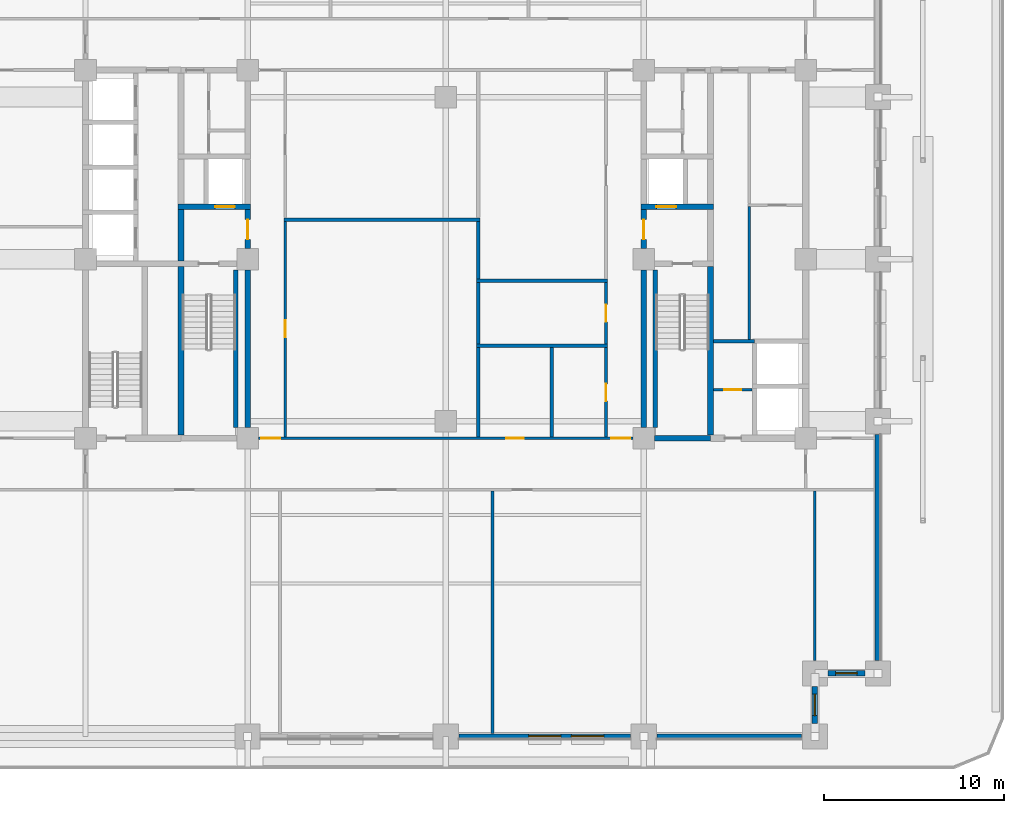
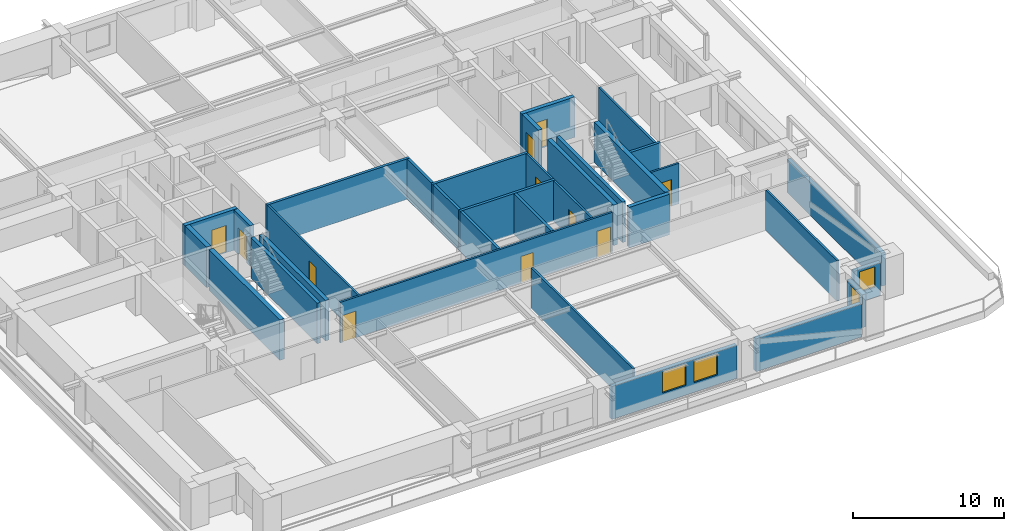
# One storey, part 6 of 18: 33 walls, 11 doors, 4 windows, 15 openings.
"""IFC4 building model written with IfcOpenShell, lengths in metres."""

from ifc_helpers import new_model, si_unit, direction, frame, frame_2d, origin, place, context, subcontext, project, spatial, rectangle, extrude, material, layer, layer_set, type_object, element, fill, save


model = new_model("IFC4")

# Units and contexts
model_context = context("Model", 3, precision=1e-05, world=origin(), true_north=direction((0.0, 1.0)))
body_context = subcontext(model_context, "Body", "Model", "MODEL_VIEW")
ifc_project = project(units=[si_unit("LENGTHUNIT", "METRE"), si_unit("AREAUNIT", "SQUARE_METRE"), si_unit("VOLUMEUNIT", "CUBIC_METRE"), si_unit("PLANEANGLEUNIT", "RADIAN"), si_unit("MASSUNIT", "GRAM", prefix="KILO")], contexts=[model_context])

# Site, building, storey
site_placement = place(None, origin())
site = spatial("IfcSite", under=ifc_project, at=site_placement, CompositionType="ELEMENT")
building_placement = place(site_placement, origin())
building = spatial("IfcBuilding", under=site, at=building_placement, Name="Zulmaris Gate Convention Tower", CompositionType="ELEMENT")
storey_placement = place(building_placement, frame((0.0, 0.0, 57.18994140625)))
storey = spatial("IfcBuildingStorey", under=building, at=storey_placement, Name="L13", CompositionType="ELEMENT", Elevation=57.18994140625)

# Walls
ifc_material_1 = material(Name="Concrete C50/60", Category="concrete")
ifc_layer_1 = layer(ifc_material_1, 0.25, Name="Concrete C50/60")
ifc_layer_set_1 = layer_set([ifc_layer_1], Name="Concrete C50/60")
wall_type_1 = type_object("IfcWallType", Name="CORE-250", PredefinedType="SOLIDWALL", material=ifc_layer_set_1)
for number, where, z_axis, x_axis, name in (
    (1, (-11.64990234375, -9.345947265625, 0.0), (0.0, 0.0, 1.0), (0.0, 1.0, 0.0), "WL-L13-052"),
    (2, (11.64990234375, -9.345947265625, 0.0), (0.0, 0.0, 1.0), (0.0, 1.0, 0.0), "WL-L13-061"),
):
    element("IfcWall", number, at=place(storey_placement, frame(where, z_axis=z_axis, x_axis=x_axis)), inside=storey, type_object=wall_type_1, Name=name, PredefinedType="SOLIDWALL", context=body_context, shape_type="SweptSolid", body=[
        extrude(rectangle(XDim=8.741943359375, YDim=0.25, at=frame_2d((4.37109375, 0.0))), origin(), (0.0, 0.0, 1.0), 3.27001953125),
    ])
ifc_layer_2 = layer(ifc_material_1, 0.300048828125, Name="Concrete C50/60")
ifc_layer_set_2 = layer_set([ifc_layer_2], Name="Concrete C50/60")
wall_type_2 = type_object("IfcWallType", Name="CORE-300", PredefinedType="SHEAR", material=ifc_layer_set_2)
wall_1_placement = place(storey_placement, frame((11.60400390625, -9.949951171875, 0.0), z_axis=(0.0, 0.0, 1.0), x_axis=(1.0, 0.0, 0.0)))
element("IfcWall", 3, at=wall_1_placement, inside=storey, type_object=wall_type_2, Name="WL-L13-003", PredefinedType="SHEAR", context=body_context, shape_type="SweptSolid", body=[
    extrude(rectangle(XDim=3.095947265625, YDim=0.300048828125, at=frame_2d((1.5478515625, 0.0))), origin(), (0.0, 0.0, 1.0), 3.27001953125),
])

# Wall, opening, door
wall_2_placement = place(storey_placement, frame((-14.875, 2.89990234375, 0.0), z_axis=(0.0, 0.0, 1.0), x_axis=(1.0, 0.0, 0.0)))
wall_2 = element("IfcWall", 4, at=wall_2_placement, inside=storey, type_object=wall_type_2, Name="WL-L13-010", PredefinedType="SHEAR", context=body_context, shape_type="SweptSolid", body=[
    extrude(rectangle(XDim=4.02490234375, YDim=0.300048828125, at=frame_2d((2.012451171875, 0.0))), origin(), (0.0, 0.0, 1.0), 3.27001953125),
])
opening_1_placement = place(wall_2_placement, frame((2.074951171875, 0.0, 0.0)))
opening_1 = element("IfcOpeningElement", 5, at=opening_1_placement, cuts=wall_2, Name="Opening D-06", PredefinedType="OPENING", context=body_context, shape_type="SweptSolid", body=[
    extrude(rectangle(XDim=1.10009765625, YDim=2.199951171875, at=frame_2d((0.550048828125, 1.10009765625))), frame((0.0, 0.16015625, 0.0), z_axis=(0.0, -1.0, 0.0), x_axis=(1.0, 0.0, 0.0)), (0.0, 0.0, 1.0), 0.320068359375),
])
ifc_material_2 = material(Name="Brushed Stainless Steel", Category="steel")
door_type_1 = type_object("IfcDoorType", Name="LD-1100", OperationType="NOTDEFINED", PredefinedType="DOOR", material=ifc_material_2)
door_1_placement = place(opening_1_placement, origin())
door_1 = element("IfcDoor", 6, at=door_1_placement, inside=storey, type_object=door_type_1, Name="L13 Lift Landing Door LF-01 03", OperationType="SLIDING_TO_LEFT", OverallHeight=2.199951171875, OverallWidth=1.10009765625, PredefinedType="DOOR", context=body_context, shape_type="SweptSolid", body=[
    extrude(rectangle(XDim=1.10009765625, YDim=2.199951171875, at=frame_2d((0.550048828125, 1.10009765625))), frame((0.0, 0.02490234375, 0.0), z_axis=(0.0, -1.0, 0.0), x_axis=(1.0, 0.0, 0.0)), (0.0, 0.0, 1.0), 0.050048828125),
])
fill(opening_1, door_1)

wall_3_placement = place(storey_placement, frame((10.85009765625, 2.89990234375, 0.0), z_axis=(0.0, 0.0, 1.0), x_axis=(1.0, 0.0, 0.0)))
wall_3 = element("IfcWall", 7, at=wall_3_placement, inside=storey, type_object=wall_type_2, Name="WL-L13-011", PredefinedType="SHEAR", context=body_context, shape_type="SweptSolid", body=[
    extrude(rectangle(XDim=4.02490234375, YDim=0.300048828125, at=frame_2d((2.012451171875, 0.0))), origin(), (0.0, 0.0, 1.0), 3.27001953125),
])
opening_2_placement = place(wall_3_placement, frame((0.85009765625, 0.0, 0.0)))
opening_2 = element("IfcOpeningElement", 8, at=opening_2_placement, cuts=wall_3, Name="Opening D-06", PredefinedType="OPENING", context=body_context, shape_type="SweptSolid", body=[
    extrude(rectangle(XDim=1.10009765625, YDim=2.199951171875, at=frame_2d((0.550048828125, 1.10009765625))), frame((0.0, 0.16015625, 0.0), z_axis=(0.0, -1.0, 0.0), x_axis=(1.0, 0.0, 0.0)), (0.0, 0.0, 1.0), 0.320068359375),
])
door_2_placement = place(opening_2_placement, origin())
door_2 = element("IfcDoor", 9, at=door_2_placement, inside=storey, type_object=door_type_1, Name="L13 Lift Landing Door LF-02 06", OperationType="SLIDING_TO_RIGHT", OverallHeight=2.199951171875, OverallWidth=1.10009765625, PredefinedType="DOOR", context=body_context, shape_type="SweptSolid", body=[
    extrude(rectangle(XDim=1.10009765625, YDim=2.199951171875, at=frame_2d((0.550048828125, 1.10009765625))), frame((0.0, 0.02490234375, 0.0), z_axis=(0.0, -1.0, 0.0), x_axis=(1.0, 0.0, 0.0)), (0.0, 0.0, 1.0), 0.050048828125),
])
fill(opening_2, door_2)

# Wall
wall_4_placement = place(storey_placement, frame((-11.0, -9.345947265625, 0.0), z_axis=(0.0, 0.0, 1.0), x_axis=(0.0, 1.0, 0.0)))
element("IfcWall", 10, at=wall_4_placement, inside=storey, type_object=wall_type_2, Name="WL-L13-053", PredefinedType="SHEAR", context=body_context, shape_type="SweptSolid", body=[
    extrude(rectangle(XDim=8.741943359375, YDim=0.300048828125, at=frame_2d((4.37109375, 0.0))), origin(), (0.0, 0.0, 1.0), 3.27001953125),
])

# Wall, opening, door
wall_5_placement = place(storey_placement, frame((-11.0, 0.60400390625, 0.0), z_axis=(0.0, 0.0, 1.0), x_axis=(0.0, 1.0, 0.0)))
wall_5 = element("IfcWall", 11, at=wall_5_placement, inside=storey, type_object=wall_type_2, Name="WL-L13-054", PredefinedType="SHEAR", context=body_context, shape_type="SweptSolid", body=[
    extrude(rectangle(XDim=2.14404296875, YDim=0.300048828125, at=frame_2d((1.072021484375, 0.0))), origin(), (0.0, 0.0, 1.0), 3.27001953125),
])
opening_3_placement = place(wall_5_placement, frame((0.49609375, 0.0, 0.0)))
opening_3 = element("IfcOpeningElement", 12, at=opening_3_placement, cuts=wall_5, Name="Opening D-08", PredefinedType="OPENING", context=body_context, shape_type="SweptSolid", body=[
    extrude(rectangle(XDim=1.10009765625, YDim=2.14990234375, at=frame_2d((0.550048828125, 1.074951171875))), frame((0.0, 0.16015625, 0.0), z_axis=(0.0, -1.0, 0.0), x_axis=(1.0, 0.0, 0.0)), (0.0, 0.0, 1.0), 0.320068359375),
])
ifc_material_3 = material(Name="Fire-Rated Steel", Category="steel")
door_type_2 = type_object("IfcDoorType", Name="DR-1100-FD", OperationType="NOTDEFINED", PredefinedType="DOOR", material=ifc_material_3)
door_3_placement = place(opening_3_placement, origin())
door_3 = element("IfcDoor", 13, at=door_3_placement, inside=storey, type_object=door_type_2, Name="L13 West Firefighting Lobby Door 02", OperationType="SINGLE_SWING_RIGHT", OverallHeight=2.14990234375, OverallWidth=1.10009765625, PredefinedType="DOOR", context=body_context, shape_type="SweptSolid", body=[
    extrude(rectangle(XDim=1.10009765625, YDim=2.14990234375, at=frame_2d((0.550048828125, 1.074951171875))), frame((0.0, 0.02490234375, 0.0), z_axis=(0.0, -1.0, 0.0), x_axis=(1.0, 0.0, 0.0)), (0.0, 0.0, 1.0), 0.050048828125),
])
fill(opening_3, door_3)

# Wall
wall_6_placement = place(storey_placement, frame((11.0, -9.345947265625, 0.0), z_axis=(0.0, 0.0, 1.0), x_axis=(0.0, 1.0, 0.0)))
element("IfcWall", 14, at=wall_6_placement, inside=storey, type_object=wall_type_2, Name="WL-L13-057", PredefinedType="SHEAR", context=body_context, shape_type="SweptSolid", body=[
    extrude(rectangle(XDim=8.741943359375, YDim=0.300048828125, at=frame_2d((4.37109375, 0.0))), origin(), (0.0, 0.0, 1.0), 3.27001953125),
])

# Wall, opening, door
wall_7_placement = place(storey_placement, frame((11.0, 0.60400390625, 0.0), z_axis=(0.0, 0.0, 1.0), x_axis=(0.0, 1.0, 0.0)))
wall_7 = element("IfcWall", 15, at=wall_7_placement, inside=storey, type_object=wall_type_2, Name="WL-L13-058", PredefinedType="SHEAR", context=body_context, shape_type="SweptSolid", body=[
    extrude(rectangle(XDim=2.14404296875, YDim=0.300048828125, at=frame_2d((1.072021484375, 0.0))), origin(), (0.0, 0.0, 1.0), 3.27001953125),
])
opening_4_placement = place(wall_7_placement, frame((0.49609375, 0.0, 0.0)))
opening_4 = element("IfcOpeningElement", 16, at=opening_4_placement, cuts=wall_7, Name="Opening D-08", PredefinedType="OPENING", context=body_context, shape_type="SweptSolid", body=[
    extrude(rectangle(XDim=1.10009765625, YDim=2.14990234375, at=frame_2d((0.550048828125, 1.074951171875))), frame((0.0, 0.16015625, 0.0), z_axis=(0.0, -1.0, 0.0), x_axis=(1.0, 0.0, 0.0)), (0.0, 0.0, 1.0), 0.320068359375),
])
door_4_placement = place(opening_4_placement, origin())
door_4 = element("IfcDoor", 17, at=door_4_placement, inside=storey, type_object=door_type_2, Name="L13 East Firefighting Lobby Door 05", OperationType="SINGLE_SWING_RIGHT", OverallHeight=2.14990234375, OverallWidth=1.10009765625, PredefinedType="DOOR", context=body_context, shape_type="SweptSolid", body=[
    extrude(rectangle(XDim=1.10009765625, YDim=2.14990234375, at=frame_2d((0.550048828125, 1.074951171875))), frame((0.0, 0.02490234375, 0.0), z_axis=(0.0, -1.0, 0.0), x_axis=(1.0, 0.0, 0.0)), (0.0, 0.0, 1.0), 0.050048828125),
])
fill(opening_4, door_4)

# Walls
ifc_material_4 = material(Name="Concrete C55/67", Category="concrete")
ifc_layer_3 = layer(ifc_material_4, 0.35009765625, Name="Concrete C55/67")
ifc_layer_set_3 = layer_set([ifc_layer_3], Name="Concrete C55/67")
wall_type_3 = type_object("IfcWallType", Name="CORE-350", PredefinedType="SHEAR", material=ifc_layer_set_3)
wall_8_placement = place(storey_placement, frame((-14.699951171875, -9.77294921875, 0.0), z_axis=(0.0, 0.0, 1.0), x_axis=(0.0, 1.0, 0.0)))
element("IfcWall", 18, at=wall_8_placement, inside=storey, type_object=wall_type_3, Name="WL-L13-047", PredefinedType="SHEAR", context=body_context, shape_type="SweptSolid", body=[
    extrude(rectangle(XDim=9.370849609375, YDim=0.35009765625, at=frame_2d((4.685546875, 0.0))), origin(), (0.0, 0.0, 1.0), 3.27001953125),
])
wall_9_placement = place(storey_placement, frame((-14.699951171875, -0.097900390625, 0.0), z_axis=(0.0, 0.0, 1.0), x_axis=(0.0, 1.0, 0.0)))
element("IfcWall", 19, at=wall_9_placement, inside=storey, type_object=wall_type_3, Name="WL-L13-048", PredefinedType="SHEAR", context=body_context, shape_type="SweptSolid", body=[
    extrude(rectangle(XDim=2.845947265625, YDim=0.35009765625, at=frame_2d((1.4228515625, 0.0))), origin(), (0.0, 0.0, 1.0), 3.27001953125),
])
wall_10_placement = place(storey_placement, frame((14.699951171875, -9.77294921875, 0.0), z_axis=(0.0, 0.0, 1.0), x_axis=(0.0, 1.0, 0.0)))
element("IfcWall", 20, at=wall_10_placement, inside=storey, type_object=wall_type_3, Name="WL-L13-063", PredefinedType="SHEAR", context=body_context, shape_type="SweptSolid", body=[
    extrude(rectangle(XDim=9.370849609375, YDim=0.35009765625, at=frame_2d((4.685546875, 0.0))), origin(), (0.0, 0.0, 1.0), 3.27001953125),
])

# Wall, openings, doors
ifc_material_5 = material(Name="Gypsum Metal Stud Partition")
ifc_layer_4 = layer(ifc_material_5, 0.14990234375, Name="Gypsum Metal Stud Partition")
ifc_layer_set_4 = layer_set([ifc_layer_4], Name="Gypsum Metal Stud Partition")
wall_type_4 = type_object("IfcWallType", Name="PART-150", PredefinedType="PARTITIONING", material=ifc_layer_set_4)
wall_11_placement = place(storey_placement, frame((-10.39404296875, -9.949951171875, 0.0), z_axis=(0.0, 0.0, 1.0), x_axis=(1.0, 0.0, 0.0)))
wall_11 = element("IfcWall", 21, at=wall_11_placement, inside=storey, type_object=wall_type_4, Name="WL-L13-022", PredefinedType="PARTITIONING", context=body_context, shape_type="SweptSolid", body=[
    extrude(rectangle(XDim=20.7880859375, YDim=0.14990234375, at=frame_2d((10.39404296875, 0.0))), origin(), (0.0, 0.0, 1.0), 3.27001953125),
])
opening_5_placement = place(wall_11_placement, frame((0.14990234375, 0.0, 0.0)))
opening_5 = element("IfcOpeningElement", 22, at=opening_5_placement, cuts=wall_11, Name="Opening D-09", PredefinedType="OPENING", context=body_context, shape_type="SweptSolid", body=[
    extrude(rectangle(XDim=1.050048828125, YDim=2.14990234375, at=frame_2d((0.52490234375, 1.074951171875))), frame((0.0, 0.0849609375, 0.0), z_axis=(0.0, -1.0, 0.0), x_axis=(1.0, 0.0, 0.0)), (0.0, 0.0, 1.0), 0.169921875),
])
opening_6_placement = place(wall_11_placement, frame((19.587890625, 0.0, 0.0)))
opening_6 = element("IfcOpeningElement", 23, at=opening_6_placement, cuts=wall_11, Name="Opening D-09", PredefinedType="OPENING", context=body_context, shape_type="SweptSolid", body=[
    extrude(rectangle(XDim=1.050048828125, YDim=2.14990234375, at=frame_2d((0.52490234375, 1.074951171875))), frame((0.0, 0.0849609375, 0.0), z_axis=(0.0, -1.0, 0.0), x_axis=(1.0, 0.0, 0.0)), (0.0, 0.0, 1.0), 0.169921875),
])
opening_7_placement = place(wall_11_placement, frame((13.76904296875, 0.0, 0.0)))
opening_7 = element("IfcOpeningElement", 24, at=opening_7_placement, cuts=wall_11, Name="Opening D-11", PredefinedType="OPENING", context=body_context, shape_type="SweptSolid", body=[
    extrude(rectangle(XDim=0.949951171875, YDim=2.14990234375, at=frame_2d((0.47509765625, 1.074951171875))), frame((0.0, 0.0849609375, 0.0), z_axis=(0.0, -1.0, 0.0), x_axis=(1.0, 0.0, 0.0)), (0.0, 0.0, 1.0), 0.169921875),
])
door_type_3 = type_object("IfcDoorType", Name="DR-1050-FD", OperationType="NOTDEFINED", PredefinedType="DOOR", material=ifc_material_3)
door_5_placement = place(opening_5_placement, origin())
door_5 = element("IfcDoor", 25, at=door_5_placement, inside=storey, type_object=door_type_3, Name="L13 SW Spine Link Door 25", OperationType="SINGLE_SWING_LEFT", OverallHeight=2.14990234375, OverallWidth=1.050048828125, PredefinedType="DOOR", context=body_context, shape_type="SweptSolid", body=[
    extrude(rectangle(XDim=1.050048828125, YDim=2.14990234375, at=frame_2d((0.52490234375, 1.074951171875))), frame((0.0, 0.02490234375, 0.0), z_axis=(0.0, -1.0, 0.0), x_axis=(1.0, 0.0, 0.0)), (0.0, 0.0, 1.0), 0.050048828125),
])
fill(opening_5, door_5)
door_6_placement = place(opening_6_placement, origin())
door_6 = element("IfcDoor", 26, at=door_6_placement, inside=storey, type_object=door_type_3, Name="L13 SE Spine Link Door 27", OperationType="SINGLE_SWING_LEFT", OverallHeight=2.14990234375, OverallWidth=1.050048828125, PredefinedType="DOOR", context=body_context, shape_type="SweptSolid", body=[
    extrude(rectangle(XDim=1.050048828125, YDim=2.14990234375, at=frame_2d((0.52490234375, 1.074951171875))), frame((0.0, 0.02490234375, 0.0), z_axis=(0.0, -1.0, 0.0), x_axis=(1.0, 0.0, 0.0)), (0.0, 0.0, 1.0), 0.050048828125),
])
fill(opening_6, door_6)
ifc_material_6 = material(Name="Fire-Rated Timber", Category="wood")
door_type_4 = type_object("IfcDoorType", Name="DR-950-FD", OperationType="NOTDEFINED", PredefinedType="DOOR", material=ifc_material_6)
door_7_placement = place(opening_7_placement, origin())
door_7 = element("IfcDoor", 27, at=door_7_placement, inside=storey, type_object=door_type_4, Name="L13 Print Room Door 39", OperationType="SINGLE_SWING_LEFT", OverallHeight=2.14990234375, OverallWidth=0.949951171875, PredefinedType="DOOR", context=body_context, shape_type="SweptSolid", body=[
    extrude(rectangle(XDim=0.949951171875, YDim=2.14990234375, at=frame_2d((0.47509765625, 1.074951171875))), frame((0.0, 0.02490234375, 0.0), z_axis=(0.0, -1.0, 0.0), x_axis=(1.0, 0.0, 0.0)), (0.0, 0.0, 1.0), 0.050048828125),
])
fill(opening_7, door_7)

# Wall, opening, door
wall_12_placement = place(storey_placement, frame((14.8779296875, -7.25, 0.0), z_axis=(0.0, 0.0, 1.0), x_axis=(1.0, 0.0, 0.0)))
wall_12 = element("IfcWall", 28, at=wall_12_placement, inside=storey, type_object=wall_type_4, Name="WL-L13-024", PredefinedType="PARTITIONING", context=body_context, shape_type="SweptSolid", body=[
    extrude(rectangle(XDim=2.14404296875, YDim=0.14990234375, at=frame_2d((1.072021484375, 0.0))), origin(), (0.0, 0.0, 1.0), 3.27001953125),
])
opening_8_placement = place(wall_12_placement, frame((0.596923828125, 0.0, 0.0)))
opening_8 = element("IfcOpeningElement", 29, at=opening_8_placement, cuts=wall_12, Name="Opening D-11", PredefinedType="OPENING", context=body_context, shape_type="SweptSolid", body=[
    extrude(rectangle(XDim=0.949951171875, YDim=2.14990234375, at=frame_2d((0.47509765625, 1.074951171875))), frame((0.0, 0.0849609375, 0.0), z_axis=(0.0, -1.0, 0.0), x_axis=(1.0, 0.0, 0.0)), (0.0, 0.0, 1.0), 0.169921875),
])
door_8_placement = place(opening_8_placement, origin())
door_8 = element("IfcDoor", 30, at=door_8_placement, inside=storey, type_object=door_type_4, Name="L13 East Meter Store Door 20", OperationType="SINGLE_SWING_RIGHT", OverallHeight=2.14990234375, OverallWidth=0.949951171875, PredefinedType="DOOR", context=body_context, shape_type="SweptSolid", body=[
    extrude(rectangle(XDim=0.949951171875, YDim=2.14990234375, at=frame_2d((0.47509765625, 1.074951171875))), frame((0.0, 0.02490234375, 0.0), z_axis=(0.0, -1.0, 0.0), x_axis=(1.0, 0.0, 0.0)), (0.0, 0.0, 1.0), 0.050048828125),
])
fill(opening_8, door_8)

wall_13_placement = place(storey_placement, frame((-8.89990234375, -9.8720703125, 0.0), z_axis=(0.0, 0.0, 1.0), x_axis=(0.0, 1.0, 0.0)))
wall_13 = element("IfcWall", 31, at=wall_13_placement, inside=storey, type_object=wall_type_4, Name="WL-L13-079", PredefinedType="PARTITIONING", context=body_context, shape_type="SweptSolid", body=[
    extrude(rectangle(XDim=11.968994140625, YDim=0.14990234375, at=frame_2d((5.984375, 0.0))), origin(), (0.0, 0.0, 1.0), 3.27001953125),
])
opening_9_placement = place(wall_13_placement, frame((5.527099609375, 0.0, 0.0)))
opening_9 = element("IfcOpeningElement", 32, at=opening_9_placement, cuts=wall_13, Name="Opening D-11", PredefinedType="OPENING", context=body_context, shape_type="SweptSolid", body=[
    extrude(rectangle(XDim=0.949951171875, YDim=2.14990234375, at=frame_2d((0.47509765625, 1.074951171875))), frame((0.0, 0.0849609375, 0.0), z_axis=(0.0, -1.0, 0.0), x_axis=(1.0, 0.0, 0.0)), (0.0, 0.0, 1.0), 0.169921875),
])
door_9_placement = place(opening_9_placement, origin())
door_9 = element("IfcDoor", 33, at=door_9_placement, inside=storey, type_object=door_type_4, Name="L13 Wellness Pantry Door 35", OperationType="SINGLE_SWING_LEFT", OverallHeight=2.14990234375, OverallWidth=0.949951171875, PredefinedType="DOOR", context=body_context, shape_type="SweptSolid", body=[
    extrude(rectangle(XDim=0.949951171875, YDim=2.14990234375, at=frame_2d((0.47509765625, 1.074951171875))), frame((0.0, 0.02490234375, 0.0), z_axis=(0.0, -1.0, 0.0), x_axis=(1.0, 0.0, 0.0)), (0.0, 0.0, 1.0), 0.050048828125),
])
fill(opening_9, door_9)

# Wall
wall_14_placement = place(storey_placement, frame((2.60009765625, -26.3349609375, 0.0), z_axis=(0.0, 0.0, 1.0), x_axis=(0.0, 1.0, 0.0)))
element("IfcWall", 34, at=wall_14_placement, inside=storey, type_object=wall_type_4, Name="WL-L13-086", PredefinedType="PARTITIONING", context=body_context, shape_type="SweptSolid", body=[
    extrude(rectangle(XDim=13.45703125, YDim=0.14990234375, at=frame_2d((6.728515625, 0.0))), origin(), (0.0, 0.0, 1.0), 3.27001953125),
])

# Wall, opening, door
wall_15_placement = place(storey_placement, frame((8.89990234375, -9.8720703125, 0.0), z_axis=(0.0, 0.0, 1.0), x_axis=(0.0, 1.0, 0.0)))
wall_15 = element("IfcWall", 35, at=wall_15_placement, inside=storey, type_object=wall_type_4, Name="WL-L13-089", PredefinedType="PARTITIONING", context=body_context, shape_type="SweptSolid", body=[
    extrude(rectangle(XDim=4.968994140625, YDim=0.14990234375, at=frame_2d((2.484375, 0.0))), origin(), (0.0, 0.0, 1.0), 3.27001953125),
])
opening_10_placement = place(wall_15_placement, frame((1.9970703125, 0.0, 0.0)))
opening_10 = element("IfcOpeningElement", 36, at=opening_10_placement, cuts=wall_15, Name="Opening D-11", PredefinedType="OPENING", context=body_context, shape_type="SweptSolid", body=[
    extrude(rectangle(XDim=0.949951171875, YDim=2.14990234375, at=frame_2d((0.47509765625, 1.074951171875))), frame((0.0, 0.0849609375, 0.0), z_axis=(0.0, -1.0, 0.0), x_axis=(1.0, 0.0, 0.0)), (0.0, 0.0, 1.0), 0.169921875),
])
door_10_placement = place(opening_10_placement, origin())
door_10 = element("IfcDoor", 37, at=door_10_placement, inside=storey, type_object=door_type_4, Name="L13 Accessible WC Door 38", OperationType="SINGLE_SWING_RIGHT", OverallHeight=2.14990234375, OverallWidth=0.949951171875, PredefinedType="DOOR", context=body_context, shape_type="SweptSolid", body=[
    extrude(rectangle(XDim=0.949951171875, YDim=2.14990234375, at=frame_2d((0.47509765625, 1.074951171875))), frame((0.0, 0.02490234375, 0.0), z_axis=(0.0, -1.0, 0.0), x_axis=(1.0, 0.0, 0.0)), (0.0, 0.0, 1.0), 0.050048828125),
])
fill(opening_10, door_10)

wall_16_placement = place(storey_placement, frame((8.89990234375, -4.697021484375, 0.0), z_axis=(0.0, 0.0, 1.0), x_axis=(0.0, 1.0, 0.0)))
wall_16 = element("IfcWall", 38, at=wall_16_placement, inside=storey, type_object=wall_type_4, Name="WL-L13-090", PredefinedType="PARTITIONING", context=body_context, shape_type="SweptSolid", body=[
    extrude(rectangle(XDim=3.39404296875, YDim=0.14990234375, at=frame_2d((1.697021484375, 0.0))), origin(), (0.0, 0.0, 1.0), 3.27001953125),
])
opening_11_placement = place(wall_16_placement, frame((1.221923828125, 0.0, 0.0)))
opening_11 = element("IfcOpeningElement", 39, at=opening_11_placement, cuts=wall_16, Name="Opening D-11", PredefinedType="OPENING", context=body_context, shape_type="SweptSolid", body=[
    extrude(rectangle(XDim=0.949951171875, YDim=2.14990234375, at=frame_2d((0.47509765625, 1.074951171875))), frame((0.0, 0.0849609375, 0.0), z_axis=(0.0, -1.0, 0.0), x_axis=(1.0, 0.0, 0.0)), (0.0, 0.0, 1.0), 0.169921875),
])
door_11_placement = place(opening_11_placement, origin())
door_11 = element("IfcDoor", 40, at=door_11_placement, inside=storey, type_object=door_type_4, Name="L13 Public WC Door 37", OperationType="SINGLE_SWING_LEFT", OverallHeight=2.14990234375, OverallWidth=0.949951171875, PredefinedType="DOOR", context=body_context, shape_type="SweptSolid", body=[
    extrude(rectangle(XDim=0.949951171875, YDim=2.14990234375, at=frame_2d((0.47509765625, 1.074951171875))), frame((0.0, 0.02490234375, 0.0), z_axis=(0.0, -1.0, 0.0), x_axis=(1.0, 0.0, 0.0)), (0.0, 0.0, 1.0), 0.050048828125),
])
fill(opening_11, door_11)

# Walls
wall_17_placement = place(storey_placement, frame((16.85009765625, -4.447021484375, 0.0), z_axis=(0.0, 0.0, 1.0), x_axis=(0.0, 1.0, 0.0)))
element("IfcWall", 41, at=wall_17_placement, inside=storey, type_object=wall_type_4, Name="WL-L13-094", PredefinedType="PARTITIONING", context=body_context, shape_type="SweptSolid", body=[
    extrude(rectangle(XDim=7.369140625, YDim=0.14990234375, at=frame_2d((3.6845703125, 0.0))), origin(), (0.0, 0.0, 1.0), 3.27001953125),
])
wall_18_placement = place(storey_placement, frame((20.5, -22.2939453125, 0.0), z_axis=(0.0, 0.0, 1.0), x_axis=(0.0, 1.0, 0.0)))
element("IfcWall", 42, at=wall_18_placement, inside=storey, type_object=wall_type_4, Name="WL-L13-098", PredefinedType="PARTITIONING", context=body_context, shape_type="SweptSolid", body=[
    extrude(rectangle(XDim=9.416015625, YDim=0.14990234375, at=frame_2d((4.7080078125, 0.0))), origin(), (0.0, 0.0, 1.0), 3.27001953125),
])
ifc_material_7 = material(Name="Autoclaved Aerated Concrete Block and Plasterboard", Category="concrete")
ifc_layer_5 = layer(ifc_material_7, 0.199951171875, Name="Autoclaved Aerated Concrete Block and Plasterboard")
ifc_layer_set_5 = layer_set([ifc_layer_5], Name="Autoclaved Aerated Concrete Block and Plasterboard")
wall_type_5 = type_object("IfcWallType", Name="PART-200", PredefinedType="PARTITIONING", material=ifc_layer_set_5)
wall_19_placement = place(storey_placement, frame((1.699951171875, -4.800048828125, 0.0), z_axis=(0.0, 0.0, 1.0), x_axis=(1.0, 0.0, 0.0)))
element("IfcWall", 43, at=wall_19_placement, inside=storey, type_object=wall_type_5, Name="WL-L13-025", PredefinedType="PARTITIONING", context=body_context, shape_type="SweptSolid", body=[
    extrude(rectangle(XDim=7.275146484375, YDim=0.199951171875, at=frame_2d((3.6376953125, 0.0))), origin(), (0.0, 0.0, 1.0), 3.27001953125),
])
wall_20_placement = place(storey_placement, frame((14.8779296875, -4.550048828125, 0.0), z_axis=(0.0, 0.0, 1.0), x_axis=(1.0, 0.0, 0.0)))
element("IfcWall", 44, at=wall_20_placement, inside=storey, type_object=wall_type_5, Name="WL-L13-026", PredefinedType="PARTITIONING", context=body_context, shape_type="SweptSolid", body=[
    extrude(rectangle(XDim=2.27197265625, YDim=0.199951171875, at=frame_2d((1.135986328125, 0.0))), origin(), (0.0, 0.0, 1.0), 3.27001953125),
])
wall_21_placement = place(storey_placement, frame((1.699951171875, -1.199951171875, 0.0), z_axis=(0.0, 0.0, 1.0), x_axis=(1.0, 0.0, 0.0)))
element("IfcWall", 45, at=wall_21_placement, inside=storey, type_object=wall_type_5, Name="WL-L13-027", PredefinedType="PARTITIONING", context=body_context, shape_type="SweptSolid", body=[
    extrude(rectangle(XDim=7.275146484375, YDim=0.199951171875, at=frame_2d((3.6376953125, 0.0))), origin(), (0.0, 0.0, 1.0), 3.27001953125),
])
wall_22_placement = place(storey_placement, frame((-8.97509765625, 2.199951171875, 0.0), z_axis=(0.0, 0.0, 1.0), x_axis=(1.0, 0.0, 0.0)))
element("IfcWall", 46, at=wall_22_placement, inside=storey, type_object=wall_type_5, Name="WL-L13-029", PredefinedType="PARTITIONING", context=body_context, shape_type="SweptSolid", body=[
    extrude(rectangle(XDim=10.875, YDim=0.199951171875, at=frame_2d((5.4375, 0.0))), origin(), (0.0, 0.0, 1.0), 3.27001953125),
])
wall_23_placement = place(storey_placement, frame((1.800048828125, -9.8720703125, 0.0), z_axis=(0.0, 0.0, 1.0), x_axis=(0.0, 1.0, 0.0)))
element("IfcWall", 47, at=wall_23_placement, inside=storey, type_object=wall_type_5, Name="WL-L13-082", PredefinedType="PARTITIONING", context=body_context, shape_type="SweptSolid", body=[
    extrude(rectangle(XDim=4.968994140625, YDim=0.199951171875, at=frame_2d((2.484375, 0.0))), origin(), (0.0, 0.0, 1.0), 3.27001953125),
])
wall_24_placement = place(storey_placement, frame((1.800048828125, -4.697021484375, 0.0), z_axis=(0.0, 0.0, 1.0), x_axis=(0.0, 1.0, 0.0)))
element("IfcWall", 48, at=wall_24_placement, inside=storey, type_object=wall_type_5, Name="WL-L13-083", PredefinedType="PARTITIONING", context=body_context, shape_type="SweptSolid", body=[
    extrude(rectangle(XDim=3.39404296875, YDim=0.199951171875, at=frame_2d((1.697021484375, 0.0))), origin(), (0.0, 0.0, 1.0), 3.27001953125),
])
wall_25_placement = place(storey_placement, frame((1.800048828125, -1.096923828125, 0.0), z_axis=(0.0, 0.0, 1.0), x_axis=(0.0, 1.0, 0.0)))
element("IfcWall", 49, at=wall_25_placement, inside=storey, type_object=wall_type_5, Name="WL-L13-084", PredefinedType="PARTITIONING", context=body_context, shape_type="SweptSolid", body=[
    extrude(rectangle(XDim=3.19384765625, YDim=0.199951171875, at=frame_2d((1.596923828125, 0.0))), origin(), (0.0, 0.0, 1.0), 3.27001953125),
])
wall_26_placement = place(storey_placement, frame((5.89990234375, -9.8720703125, 0.0), z_axis=(0.0, 0.0, 1.0), x_axis=(0.0, 1.0, 0.0)))
element("IfcWall", 50, at=wall_26_placement, inside=storey, type_object=wall_type_5, Name="WL-L13-088", PredefinedType="PARTITIONING", context=body_context, shape_type="SweptSolid", body=[
    extrude(rectangle(XDim=4.968994140625, YDim=0.199951171875, at=frame_2d((2.484375, 0.0))), origin(), (0.0, 0.0, 1.0), 3.27001953125),
])

# Wall, opening, window
ifc_material_8 = material(Name="Precast concrete C40/50", Category="concrete")
ifc_layer_6 = layer(ifc_material_8, 0.300048828125, Name="Precast concrete C40/50")
ifc_layer_set_6 = layer_set([ifc_layer_6], Name="Precast concrete C40/50")
wall_type_6 = type_object("IfcWallType", Name="PRECAST-PIER-300", PredefinedType="STANDARD", material=ifc_layer_set_6)
wall_27_placement = place(storey_placement, frame((20.5, -25.77001953125, 0.0), z_axis=(0.0, 0.0, 1.0), x_axis=(0.0, 1.0, 0.0)))
wall_27 = element("IfcWall", 51, at=wall_27_placement, inside=storey, type_object=wall_type_6, Name="EW-L13-NOTCH-SE1_0", PredefinedType="STANDARD", context=body_context, shape_type="SweptSolid", body=[
    extrude(rectangle(XDim=2.0400390625, YDim=0.300048828125, at=frame_2d((1.02001953125, 0.0))), origin(), (0.0, 0.0, 1.0), 2.662109375),
])
opening_12_placement = place(wall_27_placement, frame((0.419921875, 0.0, 0.820068359375)))
opening_12 = element("IfcOpeningElement", 52, at=opening_12_placement, cuts=wall_27, Name="Opening W-04", PredefinedType="OPENING", context=body_context, shape_type="SweptSolid", body=[
    extrude(rectangle(XDim=1.199951171875, YDim=1.64990234375, at=frame_2d((0.60009765625, 0.824951171875))), frame((0.0, 0.16015625, 0.0), z_axis=(0.0, -1.0, 0.0), x_axis=(1.0, 0.0, 0.0)), (0.0, 0.0, 1.0), 0.320068359375),
])
ifc_material_9 = material(Name="Low-E Laminated Double Glazing in Aluminium Frame", Category="aluminium")
window_type_1 = type_object("IfcWindowType", Name="WIN-1200x2100", PartitioningType="SINGLE_PANEL", PredefinedType="WINDOW", material=ifc_material_9)
window_1_placement = place(opening_12_placement, origin())
window_1 = element("IfcWindow", 53, at=window_1_placement, inside=storey, type_object=window_type_1, Name="WN-EW-L13-NOTCH-SE1_0", OverallHeight=1.64990234375, OverallWidth=1.199951171875, PartitioningType="SINGLE_PANEL", PredefinedType="WINDOW", context=body_context, shape_type="SweptSolid", body=[
    extrude(rectangle(XDim=1.199951171875, YDim=1.64990234375, at=frame_2d((0.60009765625, 0.824951171875))), frame((0.0, 0.030029296875, 0.0), z_axis=(0.0, -1.0, 0.0), x_axis=(1.0, 0.0, 0.0)), (0.0, 0.0, 1.0), 0.06005859375),
])
fill(opening_12, window_1)

wall_28_placement = place(storey_placement, frame((21.22998046875, -23.0, 0.0), z_axis=(0.0, 0.0, 1.0), x_axis=(1.0, 0.0, 0.0)))
wall_28 = element("IfcWall", 54, at=wall_28_placement, inside=storey, type_object=wall_type_6, Name="EW-L13-NOTCH-SE2_0", PredefinedType="STANDARD", context=body_context, shape_type="SweptSolid", body=[
    extrude(rectangle(XDim=2.0400390625, YDim=0.300048828125, at=frame_2d((1.02001953125, 0.0))), origin(), (0.0, 0.0, 1.0), 2.662109375),
])
opening_13_placement = place(wall_28_placement, frame((0.419921875, 0.0, 0.820068359375)))
opening_13 = element("IfcOpeningElement", 55, at=opening_13_placement, cuts=wall_28, Name="Opening W-04", PredefinedType="OPENING", context=body_context, shape_type="SweptSolid", body=[
    extrude(rectangle(XDim=1.199951171875, YDim=1.64990234375, at=frame_2d((0.60009765625, 0.824951171875))), frame((0.0, 0.16015625, 0.0), z_axis=(0.0, -1.0, 0.0), x_axis=(1.0, 0.0, 0.0)), (0.0, 0.0, 1.0), 0.320068359375),
])
window_2_placement = place(opening_13_placement, origin())
window_2 = element("IfcWindow", 56, at=window_2_placement, inside=storey, type_object=window_type_1, Name="WN-EW-L13-NOTCH-SE2_0", OverallHeight=1.64990234375, OverallWidth=1.199951171875, PartitioningType="SINGLE_PANEL", PredefinedType="WINDOW", context=body_context, shape_type="SweptSolid", body=[
    extrude(rectangle(XDim=1.199951171875, YDim=1.64990234375, at=frame_2d((0.60009765625, 0.824951171875))), frame((0.0, 0.030029296875, 0.0), z_axis=(0.0, -1.0, 0.0), x_axis=(1.0, 0.0, 0.0)), (0.0, 0.0, 1.0), 0.06005859375),
])
fill(opening_13, window_2)

# Wall, openings, windows
wall_29_placement = place(storey_placement, frame((0.72998046875, -26.5, 0.0), z_axis=(0.0, 0.0, 1.0), x_axis=(1.0, 0.0, 0.0)))
wall_29 = element("IfcWall", 57, at=wall_29_placement, inside=storey, type_object=wall_type_6, Name="EW-L13-S-2_0", PredefinedType="STANDARD", context=body_context, shape_type="SweptSolid", body=[
    extrude(rectangle(XDim=9.5400390625, YDim=0.300048828125, at=frame_2d((4.77001953125, 0.0))), origin(), (0.0, 0.0, 1.0), 2.662109375),
])
opening_14_placement = place(wall_29_placement, frame((3.8701171875, 0.0, 0.780029296875)))
opening_14 = element("IfcOpeningElement", 58, at=opening_14_placement, cuts=wall_29, Name="Opening W-02", PredefinedType="OPENING", context=body_context, shape_type="SweptSolid", body=[
    extrude(rectangle(XDim=1.800048828125, YDim=1.719970703125, at=frame_2d((0.89990234375, 0.85986328125))), frame((0.0, 0.16015625, 0.0), z_axis=(0.0, -1.0, 0.0), x_axis=(1.0, 0.0, 0.0)), (0.0, 0.0, 1.0), 0.320068359375),
])
opening_15_placement = place(wall_29_placement, frame((6.2548828125, 0.0, 0.780029296875)))
opening_15 = element("IfcOpeningElement", 59, at=opening_15_placement, cuts=wall_29, Name="Opening W-02", PredefinedType="OPENING", context=body_context, shape_type="SweptSolid", body=[
    extrude(rectangle(XDim=1.800048828125, YDim=1.719970703125, at=frame_2d((0.89990234375, 0.85986328125))), frame((0.0, 0.16015625, 0.0), z_axis=(0.0, -1.0, 0.0), x_axis=(1.0, 0.0, 0.0)), (0.0, 0.0, 1.0), 0.320068359375),
])
window_type_2 = type_object("IfcWindowType", Name="WIN-1800x2200", PartitioningType="SINGLE_PANEL", PredefinedType="WINDOW", material=ifc_material_9)
window_3_placement = place(opening_14_placement, origin())
window_3 = element("IfcWindow", 60, at=window_3_placement, inside=storey, type_object=window_type_2, Name="WN-EW-L13-S-2_0-2", OverallHeight=1.719970703125, OverallWidth=1.800048828125, PartitioningType="SINGLE_PANEL", PredefinedType="WINDOW", context=body_context, shape_type="SweptSolid", body=[
    extrude(rectangle(XDim=1.800048828125, YDim=1.719970703125, at=frame_2d((0.89990234375, 0.85986328125))), frame((0.0, 0.030029296875, 0.0), z_axis=(0.0, -1.0, 0.0), x_axis=(1.0, 0.0, 0.0)), (0.0, 0.0, 1.0), 0.06005859375),
])
fill(opening_14, window_3)
window_4_placement = place(opening_15_placement, origin())
window_4 = element("IfcWindow", 61, at=window_4_placement, inside=storey, type_object=window_type_2, Name="WN-EW-L13-S-2_0-3", OverallHeight=1.719970703125, OverallWidth=1.800048828125, PartitioningType="SINGLE_PANEL", PredefinedType="WINDOW", context=body_context, shape_type="SweptSolid", body=[
    extrude(rectangle(XDim=1.800048828125, YDim=1.719970703125, at=frame_2d((0.89990234375, 0.85986328125))), frame((0.0, 0.030029296875, 0.0), z_axis=(0.0, -1.0, 0.0), x_axis=(1.0, 0.0, 0.0)), (0.0, 0.0, 1.0), 0.06005859375),
])
fill(opening_15, window_4)

# Walls
wall_30_placement = place(storey_placement, frame((11.72998046875, -26.5, 0.0), z_axis=(0.0, 0.0, 1.0), x_axis=(1.0, 0.0, 0.0)))
element("IfcWall", 62, at=wall_30_placement, inside=storey, type_object=wall_type_6, Name="EW-L13-S-3_0", PredefinedType="STANDARD", context=body_context, shape_type="SweptSolid", body=[
    extrude(rectangle(XDim=8.0400390625, YDim=0.300048828125, at=frame_2d((4.02001953125, 0.0))), origin(), (0.0, 0.0, 1.0), 2.662109375),
])
wall_31_placement = place(storey_placement, frame((24.0, -22.27001953125, 0.0), z_axis=(0.0, 0.0, 1.0), x_axis=(0.0, 1.0, 0.0)))
element("IfcWall", 63, at=wall_31_placement, inside=storey, type_object=wall_type_6, Name="EW-L13-E-0_0", PredefinedType="STANDARD", context=body_context, shape_type="SweptSolid", body=[
    extrude(rectangle(XDim=12.5400390625, YDim=0.300048828125, at=frame_2d((6.27001953125, 0.0))), origin(), (0.0, 0.0, 1.0), 2.662109375),
])

save(model, "model.ifc")
